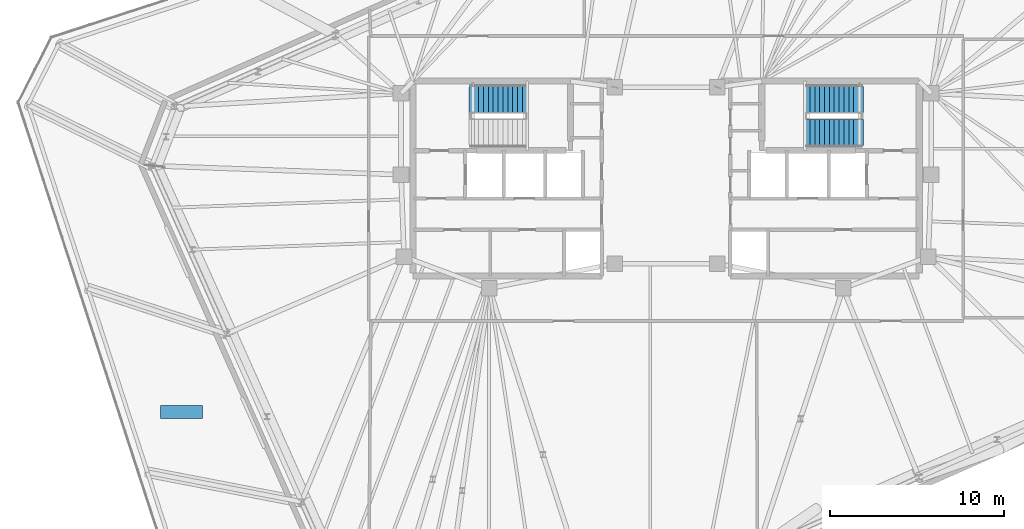
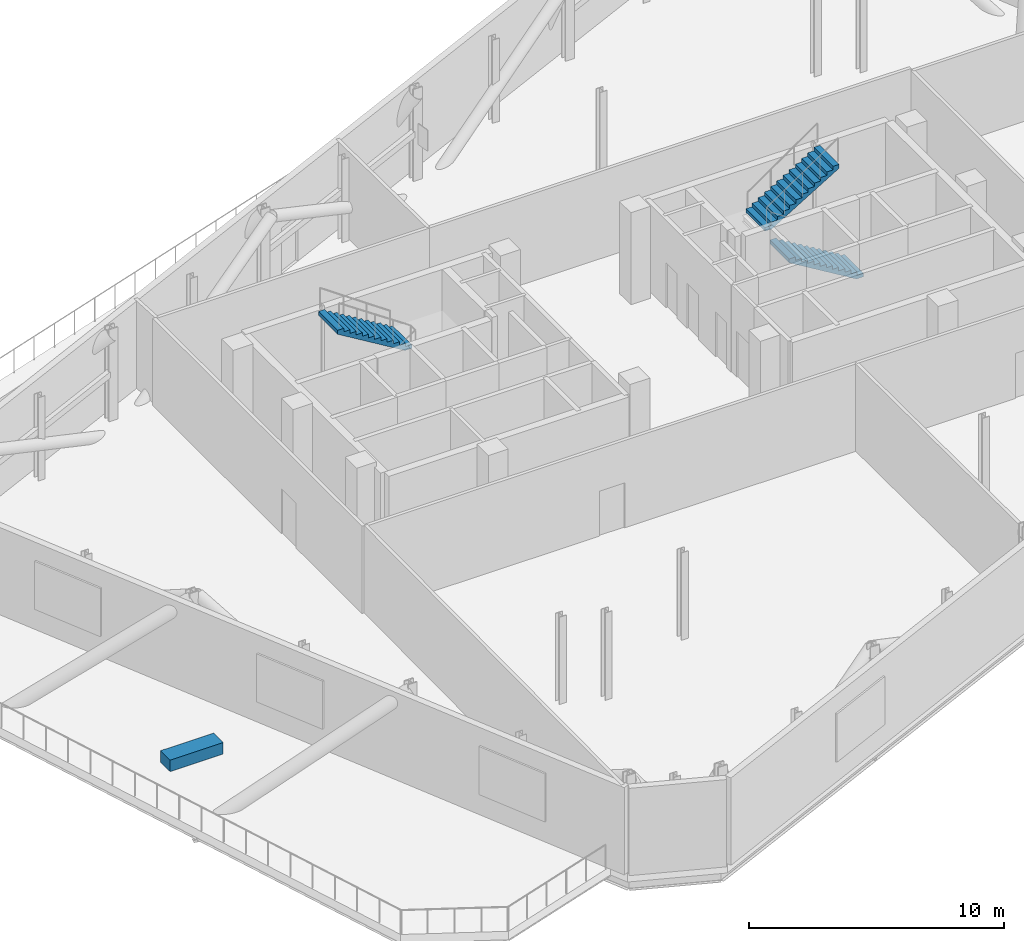
# One storey, part 14 of 15: 3 stair flights, 1 discrete accessory, 2 elements without a shape of their own.
"""IFC4 building model written with IfcOpenShell, lengths in metres."""

from ifc_helpers import new_model, si_unit, direction, frame, origin, origin_2d, place, context, subcontext, project, spatial, polyline, rectangle, outline, extrude, material, type_object, element, aggregate, save


model = new_model("IFC4")

# Units and contexts
model_context = context("Model", 3, precision=1e-05, world=origin(), true_north=direction((0.0, 1.0)))
body_context = subcontext(model_context, "Body", "Model", "MODEL_VIEW")
ifc_project = project(units=[si_unit("LENGTHUNIT", "METRE"), si_unit("AREAUNIT", "SQUARE_METRE"), si_unit("VOLUMEUNIT", "CUBIC_METRE"), si_unit("PLANEANGLEUNIT", "RADIAN"), si_unit("MASSUNIT", "GRAM", prefix="KILO")], contexts=[model_context])

# Site, building, storey
site_placement = place(None, origin())
site = spatial("IfcSite", under=ifc_project, at=site_placement, CompositionType="ELEMENT")
building_placement = place(site_placement, origin())
building = spatial("IfcBuilding", under=site, at=building_placement, Name="Menara Jurai Vektor", CompositionType="ELEMENT")
storey_placement = place(building_placement, frame((0.0, 0.0, 254.449951171875)))
storey = spatial("IfcBuildingStorey", under=building, at=storey_placement, Name="L68", CompositionType="ELEMENT", Elevation=254.449951171875)

# Stair, stair flight
ifc_material_1 = material(Name="Concrete C40/50", Category="concrete")
stair_type = type_object("IfcStairType", Name="STAIR-DOGLEG-1500", PredefinedType="HALF_TURN_STAIR", material=ifc_material_1)
stair_1_placement = place(storey_placement, origin())
stair_1 = element("IfcStair", 1, at=stair_1_placement, inside=storey, type_object=stair_type, Name="Protected Exit Stair ST1 L68", PredefinedType="HALF_TURN_STAIR")
stair_flight_type = type_object("IfcStairFlightType", Name="STAIR-FLIGHT-1500", PredefinedType="STRAIGHT", material=ifc_material_1)
stair_flight_1_placement = place(storey_placement, frame((-7.989990234375, 4.550048828125, 2.199951171875), z_axis=(0.0, 0.0, 1.0), x_axis=(-1.0, 0.0, 0.0)))
stair_flight_1 = element("IfcStairFlight", 2, at=stair_flight_1_placement, type_object=stair_flight_type, Name="ST1 flight 2", NumberOfRisers=13, NumberOfTreads=12, PredefinedType="STRAIGHT", RiserHeight=0.169231, TreadLength=0.28, context=body_context, shape_type="SweptSolid", body=[
    extrude(outline(polyline([(0.0, 0.0), (0.0, 0.169189453125), (0.280029296875, 0.169189453125), (0.280029296875, 0.33837890625), (0.56005859375, 0.33837890625), (0.56005859375, 0.5078125), (0.840087890625, 0.5078125), (0.840087890625, 0.677001953125), (1.1201171875, 0.677001953125), (1.1201171875, 0.84619140625), (1.39990234375, 0.84619140625), (1.39990234375, 1.015380859375), (1.679931640625, 1.015380859375), (1.679931640625, 1.1845703125), (1.9599609375, 1.1845703125), (1.9599609375, 1.353759765625), (2.239990234375, 1.353759765625), (2.239990234375, 1.523193359375), (2.52001953125, 1.523193359375), (2.52001953125, 1.6923828125), (2.800048828125, 1.6923828125), (2.800048828125, 1.861572265625), (3.080078125, 1.861572265625), (3.080078125, 2.03076171875), (3.360107421875, 2.03076171875), (3.360107421875, 2.199951171875), (3.360107421875, 1.843994140625), (0.30908203125, 0.0), (0.0, 0.0)])), frame((0.0, 0.75, 0.0), z_axis=(0.0, -1.0, 0.0), x_axis=(1.0, 0.0, 0.0)), (0.0, 0.0, 1.0), 1.5),
])
aggregate(stair_1, [stair_flight_1])

# Stair, stair flights
stair_2_placement = place(storey_placement, origin())
stair_2 = element("IfcStair", 3, at=stair_2_placement, inside=storey, type_object=stair_type, Name="Protected Exit Stair ST2 L68", PredefinedType="HALF_TURN_STAIR")
stair_flight_2_placement = place(storey_placement, frame((11.35009765625, 2.64990234375, 0.0), z_axis=(0.0, 0.0, 1.0), x_axis=(-1.0, 0.0, 0.0)))
stair_flight_2 = element("IfcStairFlight", 4, at=stair_flight_2_placement, type_object=stair_flight_type, Name="ST2 flight 1", NumberOfRisers=13, NumberOfTreads=12, PredefinedType="STRAIGHT", RiserHeight=0.169231, TreadLength=0.28, context=body_context, shape_type="SweptSolid", body=[
    extrude(outline(polyline([(0.0, 0.0), (0.0, 0.169189453125), (0.280029296875, 0.169189453125), (0.280029296875, 0.33837890625), (0.56005859375, 0.33837890625), (0.56005859375, 0.5078125), (0.840087890625, 0.5078125), (0.840087890625, 0.677001953125), (1.1201171875, 0.677001953125), (1.1201171875, 0.84619140625), (1.39990234375, 0.84619140625), (1.39990234375, 1.015380859375), (1.679931640625, 1.015380859375), (1.679931640625, 1.1845703125), (1.9599609375, 1.1845703125), (1.9599609375, 1.353759765625), (2.239990234375, 1.353759765625), (2.239990234375, 1.523193359375), (2.52001953125, 1.523193359375), (2.52001953125, 1.6923828125), (2.800048828125, 1.6923828125), (2.800048828125, 1.861572265625), (3.080078125, 1.861572265625), (3.080078125, 2.03076171875), (3.360107421875, 2.03076171875), (3.360107421875, 2.199951171875), (3.360107421875, 1.843994140625), (0.30908203125, 0.0), (0.0, 0.0)])), frame((0.0, 0.75, 0.0), z_axis=(0.0, -1.0, 0.0), x_axis=(1.0, 0.0, 0.0)), (0.0, 0.0, 1.0), 1.5),
])
stair_flight_3_placement = place(storey_placement, frame((7.989990234375, 4.550048828125, 2.199951171875), z_axis=(0.0, 0.0, 1.0), x_axis=(1.0, 0.0, 0.0)))
stair_flight_3 = element("IfcStairFlight", 5, at=stair_flight_3_placement, type_object=stair_flight_type, Name="ST2 flight 2", NumberOfRisers=13, NumberOfTreads=12, PredefinedType="STRAIGHT", RiserHeight=0.169231, TreadLength=0.28, context=body_context, shape_type="SweptSolid", body=[
    extrude(outline(polyline([(0.0, 0.0), (0.0, 0.169189453125), (0.280029296875, 0.169189453125), (0.280029296875, 0.33837890625), (0.56005859375, 0.33837890625), (0.56005859375, 0.5078125), (0.840087890625, 0.5078125), (0.840087890625, 0.677001953125), (1.1201171875, 0.677001953125), (1.1201171875, 0.84619140625), (1.39990234375, 0.84619140625), (1.39990234375, 1.015380859375), (1.679931640625, 1.015380859375), (1.679931640625, 1.1845703125), (1.9599609375, 1.1845703125), (1.9599609375, 1.353759765625), (2.239990234375, 1.353759765625), (2.239990234375, 1.523193359375), (2.52001953125, 1.523193359375), (2.52001953125, 1.6923828125), (2.800048828125, 1.6923828125), (2.800048828125, 1.861572265625), (3.080078125, 1.861572265625), (3.080078125, 2.03076171875), (3.360107421875, 2.03076171875), (3.360107421875, 2.199951171875), (3.360107421875, 1.843994140625), (0.30908203125, 0.0), (0.0, 0.0)])), frame((0.0, 0.75, 0.0), z_axis=(0.0, -1.0, 0.0), x_axis=(1.0, 0.0, 0.0)), (0.0, 0.0, 1.0), 1.5),
])
aggregate(stair_2, [stair_flight_2, stair_flight_3])

# Discrete accessory
ifc_material_2 = material(Name="Concrete C40/50 precast", Category="concrete")
discrete_accessory_type = type_object("IfcDiscreteAccessoryType", Name="ENV-ACC-PLANTER", PredefinedType="USERDEFINED", material=ifc_material_2)
discrete_accessory_placement = place(storey_placement, frame((-27.8857421875, -13.4208984375, 0.0), z_axis=(0.0, 0.0, 1.0), x_axis=(1.0, 0.0, 0.0)))
element("IfcDiscreteAccessory", 6, at=discrete_accessory_placement, inside=storey, type_object=discrete_accessory_type, Name="Spiral Terrace Planter Box L68-STEP", ObjectType="PLANTER", PredefinedType="USERDEFINED", context=body_context, shape_type="SweptSolid", body=[
    extrude(rectangle(XDim=2.39990234375, YDim=0.75, at=origin_2d()), origin(), (0.0, 0.0, 1.0), 0.550048828125),
])

save(model, "model.ifc")
